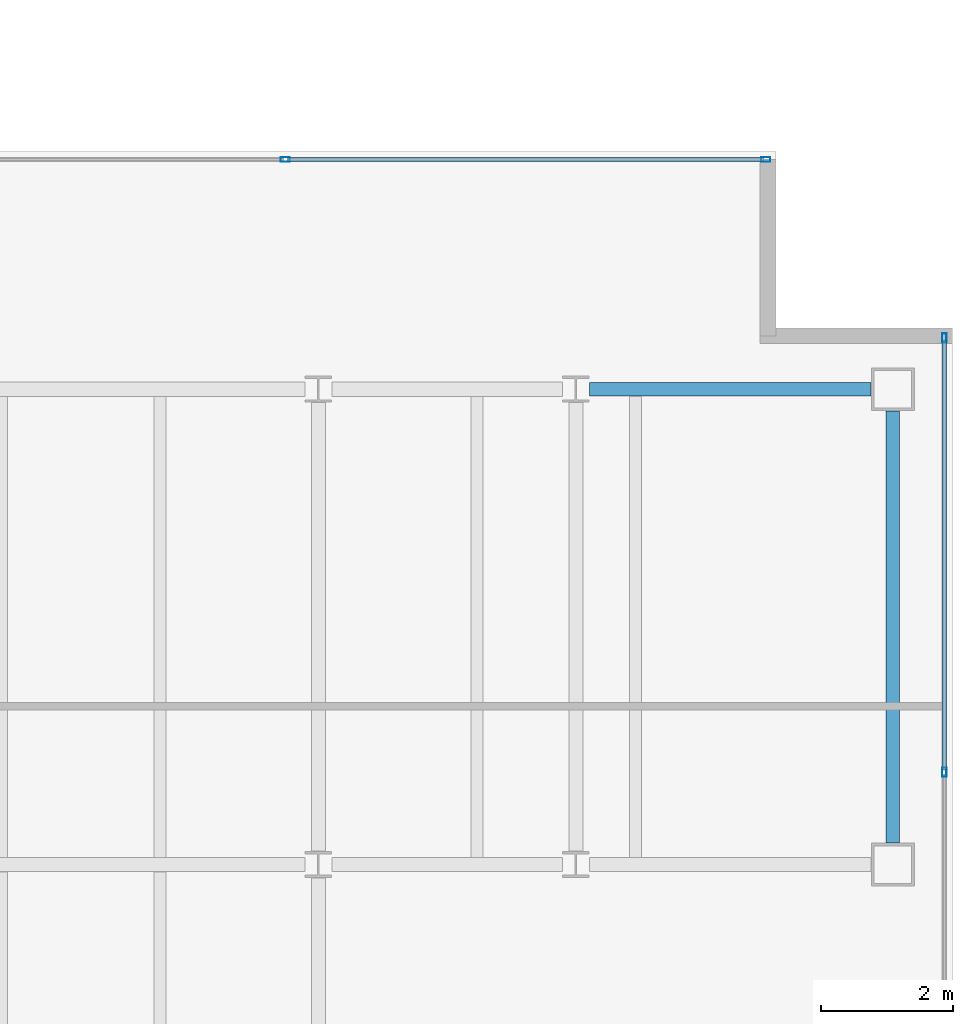
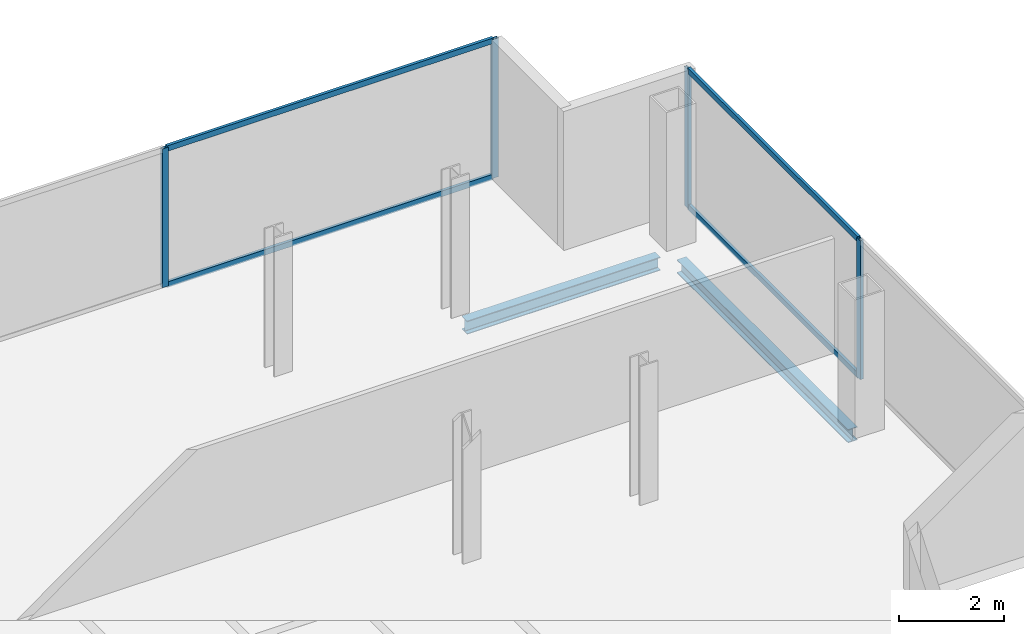
# One storey, part 16 of 23: 8 members, 2 beams, 2 elements without a shape of their own.
"""IFC4 building model written with IfcOpenShell, lengths in metres."""

from ifc_helpers import new_model, si_unit, direction, frame, origin, origin_2d, place, context, subcontext, project, spatial, hollow_rectangle, i_section, extrude, material, material_profile, profile_set, type_object, element, aggregate, save


model = new_model("IFC4")

# Units and contexts
model_context = context("Model", 3, precision=1e-05, world=origin(), true_north=direction((0.0, 1.0)))
body_context = subcontext(model_context, "Body", "Model", "MODEL_VIEW")
ifc_project = project(units=[si_unit("LENGTHUNIT", "METRE"), si_unit("AREAUNIT", "SQUARE_METRE"), si_unit("VOLUMEUNIT", "CUBIC_METRE"), si_unit("PLANEANGLEUNIT", "RADIAN"), si_unit("MASSUNIT", "GRAM", prefix="KILO")], contexts=[model_context])

# Site, building, storey
site_placement = place(None, origin())
site = spatial("IfcSite", under=ifc_project, at=site_placement, CompositionType="ELEMENT")
building_placement = place(site_placement, origin())
building = spatial("IfcBuilding", under=site, at=building_placement, Name="Cobrela Telecom Tower", CompositionType="ELEMENT")
storey_placement = place(building_placement, frame((0.0, 0.0, 283.14990234375)))
storey = spatial("IfcBuildingStorey", under=building, at=storey_placement, Name="L74", CompositionType="ELEMENT", Elevation=283.14990234375)

# Beams
ifc_material_1 = material(Name="Steel ASTM A992 Grade 50", Category="steel")
ifc_material_profile_1 = material_profile(ifc_material_1, i_section(OverallWidth=0.205078125, OverallDepth=0.31005859375, WebThickness=0.009521484375, FlangeThickness=0.016357421875, FilletRadius=0.010986328125, at=origin_2d()), Name="W12X50")
ifc_profile_set_1 = profile_set([ifc_material_profile_1], Name="Steel ASTM A992 Grade 50")
beam_type = type_object("IfcBeamType", Name="BM-SPAND-07", PredefinedType="SPANDREL", material=ifc_profile_set_1)
beam_1_placement = place(storey_placement, frame((40.1044921875, 21.60009765625, -0.414794921875), z_axis=(1.0, 0.0, 0.0), x_axis=(0.0, 1.0, 0.0)))
element("IfcBeam", 1, at=beam_1_placement, inside=storey, type_object=beam_type, Name="L74 Perimeter Spandrel X14", PredefinedType="SPANDREL", context=body_context, shape_type="SweptSolid", body=[
    extrude(i_section(OverallWidth=0.205078125, OverallDepth=0.31005859375, WebThickness=0.009521484375, FlangeThickness=0.016357421875, FilletRadius=0.010986328125, at=origin_2d()), origin(), (0.0, 0.0, 1.0), 4.265625),
])
beam_2_placement = place(storey_placement, frame((44.699951171875, 14.72998046875, -0.414794921875), z_axis=(0.0, 1.0, 0.0), x_axis=(-1.0, 0.0, 0.0)))
element("IfcBeam", 2, at=beam_2_placement, inside=storey, type_object=beam_type, Name="L74 Perimeter Spandrel Y34", PredefinedType="SPANDREL", context=body_context, shape_type="SweptSolid", body=[
    extrude(i_section(OverallWidth=0.205078125, OverallDepth=0.31005859375, WebThickness=0.009521484375, FlangeThickness=0.016357421875, FilletRadius=0.010986328125, at=origin_2d()), origin(), (0.0, 0.0, 1.0), 6.5400390625),
])

# Curtain wall, members
ifc_material_2 = material(Name="Anodized Bronze Aluminium 6063-T6", Category="aluminium")
curtain_wall_type = type_object("IfcCurtainWallType", Name="CW-SYS-OFF-HI", PredefinedType="USERDEFINED", material=ifc_material_2)
curtain_wall_1_placement = place(storey_placement, origin())
curtain_wall_1 = element("IfcCurtainWall", 3, at=curtain_wall_1_placement, inside=storey, type_object=curtain_wall_type, Name="L74 Unitised Bronze Curtain Wall 09", ObjectType="UNITISED CURTAIN WALL", PredefinedType="USERDEFINED")
ifc_material_profile_2 = material_profile(ifc_material_2, hollow_rectangle(XDim=0.070068359375, YDim=0.139892578125, WallThickness=0.00390625, at=origin_2d()), Name="ALU 70x140x4")
ifc_profile_set_2 = profile_set([ifc_material_profile_2], Name="Anodized Bronze Aluminium 6063-T6")
member_type_1 = type_object("IfcMemberType", Name="CW-SYS-OFF-HI-MUL", PredefinedType="MULLION", material=ifc_profile_set_2)
member_1_placement = place(storey_placement, frame((35.5, 25.080078125, 0.0), z_axis=(0.0, 0.0, 1.0), x_axis=(0.0, 1.0, 0.0)))
member_1 = element("IfcMember", 4, at=member_1_placement, type_object=member_type_1, Name="CW-OFF-HI mullion 3", PredefinedType="MULLION", context=body_context, shape_type="SweptSolid", body=[
    extrude(hollow_rectangle(XDim=0.070068359375, YDim=0.139892578125, WallThickness=0.00390625, at=origin_2d()), origin(), (0.0, 0.0, 1.0), 3.239990234375),
])
member_2_placement = place(storey_placement, frame((42.77490234375, 25.080078125, 0.0), z_axis=(0.0, 0.0, 1.0), x_axis=(0.0, 1.0, 0.0)))
member_2 = element("IfcMember", 5, at=member_2_placement, type_object=member_type_1, Name="CW-OFF-HI mullion 4", PredefinedType="MULLION", context=body_context, shape_type="SweptSolid", body=[
    extrude(hollow_rectangle(XDim=0.070068359375, YDim=0.139892578125, WallThickness=0.00390625, at=origin_2d()), origin(), (0.0, 0.0, 1.0), 3.239990234375),
])

curtain_wall_2_placement = place(storey_placement, origin())
curtain_wall_2 = element("IfcCurtainWall", 6, at=curtain_wall_2_placement, inside=storey, type_object=curtain_wall_type, Name="L74 Unitised Bronze Curtain Wall 12", ObjectType="UNITISED CURTAIN WALL", PredefinedType="USERDEFINED")
member_3_placement = place(storey_placement, frame((45.47998046875, 22.375, 0.0), z_axis=(0.0, 0.0, 1.0), x_axis=(1.0, 0.0, 0.0)))
member_3 = element("IfcMember", 7, at=member_3_placement, type_object=member_type_1, Name="CW-OFF-HI mullion 1", PredefinedType="MULLION", context=body_context, shape_type="SweptSolid", body=[
    extrude(hollow_rectangle(XDim=0.070068359375, YDim=0.139892578125, WallThickness=0.00390625, at=origin_2d()), origin(), (0.0, 0.0, 1.0), 3.239990234375),
])
member_4_placement = place(storey_placement, frame((45.47998046875, 15.800048828125, 0.0), z_axis=(0.0, 0.0, 1.0), x_axis=(1.0, 0.0, 0.0)))
member_4 = element("IfcMember", 8, at=member_4_placement, type_object=member_type_1, Name="CW-OFF-HI mullion 2", PredefinedType="MULLION", context=body_context, shape_type="SweptSolid", body=[
    extrude(hollow_rectangle(XDim=0.070068359375, YDim=0.139892578125, WallThickness=0.00390625, at=origin_2d()), origin(), (0.0, 0.0, 1.0), 3.239990234375),
])

# Member
ifc_material_profile_3 = material_profile(ifc_material_2, hollow_rectangle(XDim=0.06494140625, YDim=0.1298828125, WallThickness=0.00390625, at=origin_2d()), Name="ALU 65x130x4")
ifc_profile_set_3 = profile_set([ifc_material_profile_3], Name="Anodized Bronze Aluminium 6063-T6")
member_type_2 = type_object("IfcMemberType", Name="CW-SYS-OFF-HI-TRN", PredefinedType="USERDEFINED", material=ifc_profile_set_3)
member_5_placement = place(storey_placement, frame((35.534912109375, 25.080078125, 0.03271484375), z_axis=(1.0, 0.0, 0.0), x_axis=(0.0, 1.0, 0.0)))
member_5 = element("IfcMember", 9, at=member_5_placement, type_object=member_type_2, Name="CW-OFF-HI transom 3.1", ObjectType="TRANSOM", PredefinedType="USERDEFINED", context=body_context, shape_type="SweptSolid", body=[
    extrude(hollow_rectangle(XDim=0.06494140625, YDim=0.1298828125, WallThickness=0.00390625, at=origin_2d()), origin(), (0.0, 0.0, 1.0), 7.205078125),
])

member_6_placement = place(storey_placement, frame((35.534912109375, 25.080078125, 3.20751953125), z_axis=(1.0, 0.0, 0.0), x_axis=(0.0, 1.0, 0.0)))
member_6 = element("IfcMember", 10, at=member_6_placement, type_object=member_type_2, Name="CW-OFF-HI transom 3.2", ObjectType="TRANSOM", PredefinedType="USERDEFINED", context=body_context, shape_type="SweptSolid", body=[
    extrude(hollow_rectangle(XDim=0.06494140625, YDim=0.1298828125, WallThickness=0.00390625, at=origin_2d()), origin(), (0.0, 0.0, 1.0), 7.205078125),
])

aggregate(curtain_wall_1, [member_1, member_2, member_5, member_6])

member_7_placement = place(storey_placement, frame((45.47998046875, 22.340087890625, 0.03271484375), z_axis=(0.0, -1.0, 0.0), x_axis=(1.0, 0.0, 0.0)))
member_7 = element("IfcMember", 11, at=member_7_placement, type_object=member_type_2, Name="CW-OFF-HI transom 1.1", ObjectType="TRANSOM", PredefinedType="USERDEFINED", context=body_context, shape_type="SweptSolid", body=[
    extrude(hollow_rectangle(XDim=0.06494140625, YDim=0.1298828125, WallThickness=0.00390625, at=origin_2d()), origin(), (0.0, 0.0, 1.0), 6.505126953125),
])

member_8_placement = place(storey_placement, frame((45.47998046875, 22.340087890625, 3.20751953125), z_axis=(0.0, -1.0, 0.0), x_axis=(1.0, 0.0, 0.0)))
member_8 = element("IfcMember", 12, at=member_8_placement, type_object=member_type_2, Name="CW-OFF-HI transom 1.2", ObjectType="TRANSOM", PredefinedType="USERDEFINED", context=body_context, shape_type="SweptSolid", body=[
    extrude(hollow_rectangle(XDim=0.06494140625, YDim=0.1298828125, WallThickness=0.00390625, at=origin_2d()), origin(), (0.0, 0.0, 1.0), 6.505126953125),
])

aggregate(curtain_wall_2, [member_3, member_4, member_7, member_8])

save(model, "model.ifc")
